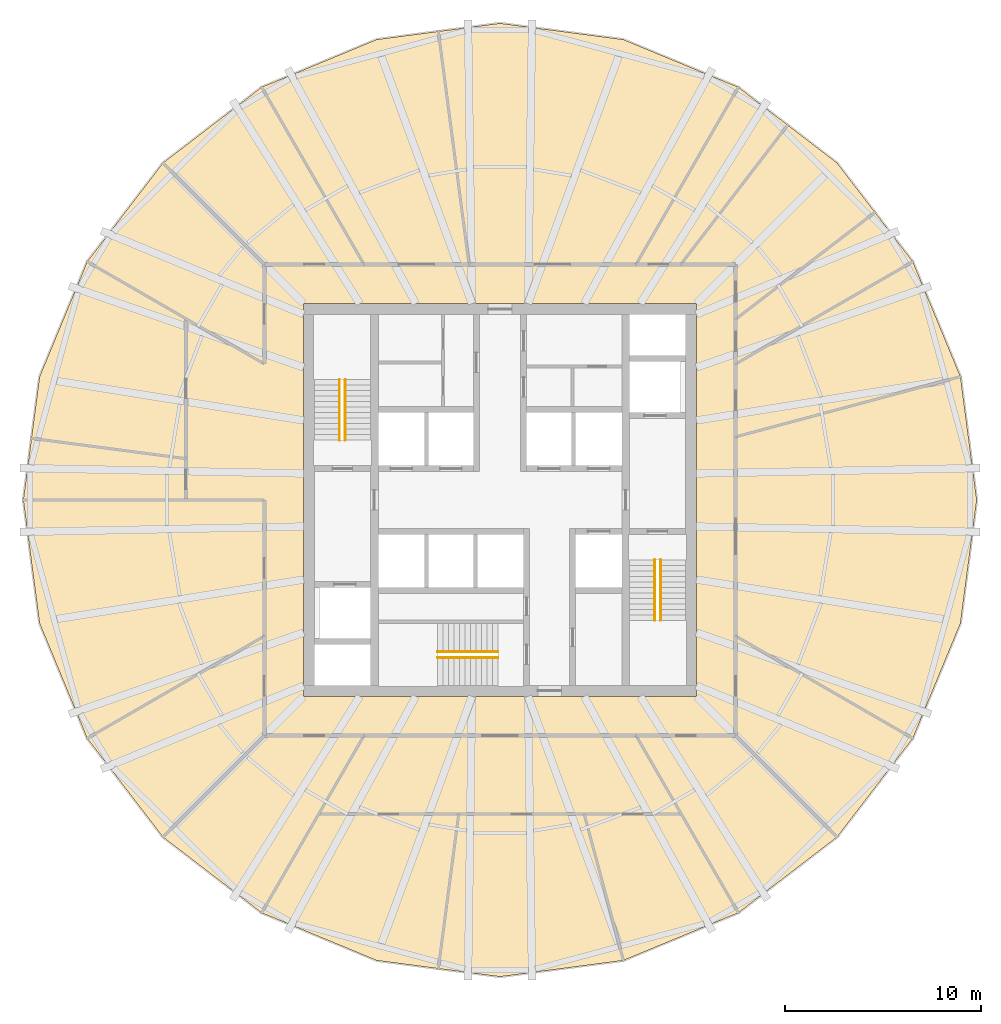
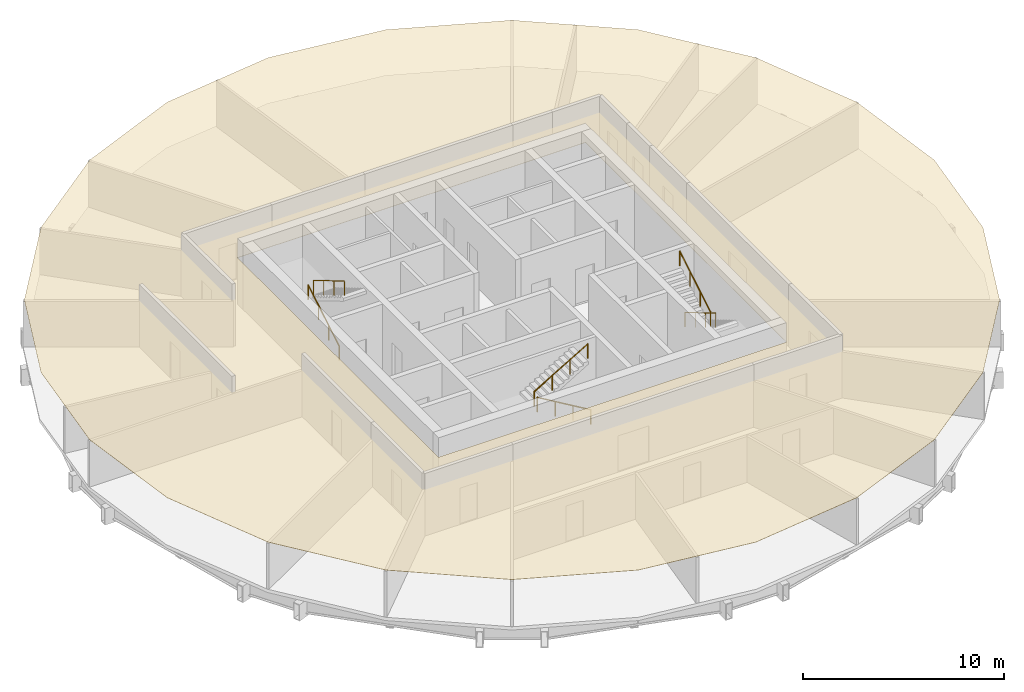
# One storey, part 6 of 6: 6 railings, 1 covering.
"""IFC4 building model written with IfcOpenShell, lengths in metres."""

from ifc_helpers import new_model, si_unit, direction, frame, origin, origin_2d, place, context, subcontext, project, spatial, polyline, circle, outline, extrude, material, layer, layer_set, type_object, element, save


model = new_model("IFC4")

# Units and contexts
model_context = context("Model", 3, precision=1e-05, world=origin(), true_north=direction((0.0, 1.0)))
body_context = subcontext(model_context, "Body", "Model", "MODEL_VIEW")
ifc_project = project(units=[si_unit("LENGTHUNIT", "METRE"), si_unit("AREAUNIT", "SQUARE_METRE"), si_unit("VOLUMEUNIT", "CUBIC_METRE"), si_unit("PLANEANGLEUNIT", "RADIAN"), si_unit("MASSUNIT", "GRAM", prefix="KILO")], contexts=[model_context])

# Site, building, storey
site_placement = place(None, origin())
site = spatial("IfcSite", under=ifc_project, at=site_placement, CompositionType="ELEMENT")
building_placement = place(site_placement, origin())
building = spatial("IfcBuilding", under=site, at=building_placement, Name="Golbaran Civic Tower", CompositionType="ELEMENT")
storey_placement = place(building_placement, frame((0.0, 0.0, 146.0)))
storey = spatial("IfcBuildingStorey", under=building, at=storey_placement, Name="L35", CompositionType="ELEMENT", Elevation=146.0)

# Railings
ifc_material_1 = material(Name="Stainless steel", Category="steel")
railing_type = type_object("IfcRailingType", Name="STAIR HANDRAIL 900", PredefinedType="HANDRAIL", material=ifc_material_1)
railing_1_placement = place(storey_placement, frame((-8.175048828125, 3.050048828125, 0.166748046875)))
element("IfcRailing", 1, at=railing_1_placement, inside=storey, type_object=railing_type, Name="Stair S1 handrail flight 1 L35", PredefinedType="HANDRAIL", context=body_context, shape_type="SweptSolid", body=[
    extrude(circle(Radius=0.02392578125, at=origin_2d()), frame((0.0, 0.0, 0.8759765625), z_axis=(0.0, 0.859290745958, 0.51148745235), x_axis=(-1.0, 0.0, 0.0)), (0.0, 0.0, 1.0), 3.584228515625),
    extrude(circle(Radius=0.02099609375, at=origin_2d()), origin(), (0.0, 0.0, 1.0), 0.851806640625),
    extrude(circle(Radius=0.02099609375, at=origin_2d()), frame((0.0, 1.026611328125, 0.611083984375)), (0.0, 0.0, 1.0), 0.851806640625),
    extrude(circle(Radius=0.02099609375, at=origin_2d()), frame((0.0, 2.05322265625, 1.22216796875)), (0.0, 0.0, 1.0), 0.851806640625),
    extrude(circle(Radius=0.02099609375, at=origin_2d()), frame((0.0, 3.079833984375, 1.833251953125)), (0.0, 0.0, 1.0), 0.851806640625),
])
for number, where, name in (
    (2, (-7.875, 6.1298828125, 2.166748046875), "Stair S1 handrail flight 2 L35"),
    (3, (8.175048828125, -3.050048828125, 0.166748046875), "Stair S2 handrail flight 1 L35"),
):
    element("IfcRailing", number, at=place(storey_placement, frame(where)), inside=storey, type_object=railing_type, Name=name, PredefinedType="HANDRAIL", context=body_context, shape_type="SweptSolid", body=[
        extrude(circle(Radius=0.02392578125, at=origin_2d()), frame((0.0, 0.0, 0.8759765625), z_axis=(0.0, -0.859290745958, 0.51148745235), x_axis=(1.0, 0.0, 0.0)), (0.0, 0.0, 1.0), 3.584228515625),
        extrude(circle(Radius=0.02099609375, at=origin_2d()), origin(), (0.0, 0.0, 1.0), 0.851806640625),
        extrude(circle(Radius=0.02099609375, at=origin_2d()), frame((0.0, -1.026611328125, 0.611083984375)), (0.0, 0.0, 1.0), 0.851806640625),
        extrude(circle(Radius=0.02099609375, at=origin_2d()), frame((0.0, -2.05322265625, 1.22216796875)), (0.0, 0.0, 1.0), 0.851806640625),
        extrude(circle(Radius=0.02099609375, at=origin_2d()), frame((0.0, -3.079833984375, 1.833251953125)), (0.0, 0.0, 1.0), 0.851806640625),
    ])
railing_2_placement = place(storey_placement, frame((7.875, -6.1298828125, 2.166748046875)))
element("IfcRailing", 4, at=railing_2_placement, inside=storey, type_object=railing_type, Name="Stair S2 handrail flight 2 L35", PredefinedType="HANDRAIL", context=body_context, shape_type="SweptSolid", body=[
    extrude(circle(Radius=0.02392578125, at=origin_2d()), frame((0.0, 0.0, 0.8759765625), z_axis=(0.0, 0.859290745958, 0.51148745235), x_axis=(-1.0, 0.0, 0.0)), (0.0, 0.0, 1.0), 3.584228515625),
    extrude(circle(Radius=0.02099609375, at=origin_2d()), origin(), (0.0, 0.0, 1.0), 0.851806640625),
    extrude(circle(Radius=0.02099609375, at=origin_2d()), frame((0.0, 1.026611328125, 0.611083984375)), (0.0, 0.0, 1.0), 0.851806640625),
    extrude(circle(Radius=0.02099609375, at=origin_2d()), frame((0.0, 2.05322265625, 1.22216796875)), (0.0, 0.0, 1.0), 0.851806640625),
    extrude(circle(Radius=0.02099609375, at=origin_2d()), frame((0.0, 3.079833984375, 1.833251953125)), (0.0, 0.0, 1.0), 0.851806640625),
])
railing_3_placement = place(storey_placement, frame((-0.10009765625, -8.02490234375, 0.166748046875)))
element("IfcRailing", 5, at=railing_3_placement, inside=storey, type_object=railing_type, Name="Stair S3 handrail flight 1 L35", PredefinedType="HANDRAIL", context=body_context, shape_type="SweptSolid", body=[
    extrude(circle(Radius=0.02392578125, at=origin_2d()), frame((0.0, 0.0, 0.8759765625), z_axis=(-0.859290745958, 0.0, 0.51148745235), x_axis=(0.0, -1.0, 0.0)), (0.0, 0.0, 1.0), 3.584228515625),
    extrude(circle(Radius=0.02099609375, at=origin_2d()), origin(), (0.0, 0.0, 1.0), 0.851806640625),
    extrude(circle(Radius=0.02099609375, at=origin_2d()), frame((-1.026611328125, 0.0, 0.611083984375)), (0.0, 0.0, 1.0), 0.851806640625),
    extrude(circle(Radius=0.02099609375, at=origin_2d()), frame((-2.05322265625, 0.0, 1.22216796875)), (0.0, 0.0, 1.0), 0.851806640625),
    extrude(circle(Radius=0.02099609375, at=origin_2d()), frame((-3.079833984375, 0.0, 1.833251953125)), (0.0, 0.0, 1.0), 0.851806640625),
])
railing_4_placement = place(storey_placement, frame((-3.179931640625, -7.72509765625, 2.166748046875)))
element("IfcRailing", 6, at=railing_4_placement, inside=storey, type_object=railing_type, Name="Stair S3 handrail flight 2 L35", PredefinedType="HANDRAIL", context=body_context, shape_type="SweptSolid", body=[
    extrude(circle(Radius=0.02392578125, at=origin_2d()), frame((0.0, 0.0, 0.8759765625), z_axis=(0.859290745958, 0.0, 0.51148745235), x_axis=(0.0, 1.0, 0.0)), (0.0, 0.0, 1.0), 3.584228515625),
    extrude(circle(Radius=0.02099609375, at=origin_2d()), origin(), (0.0, 0.0, 1.0), 0.851806640625),
    extrude(circle(Radius=0.02099609375, at=origin_2d()), frame((1.026611328125, 0.0, 0.611083984375)), (0.0, 0.0, 1.0), 0.851806640625),
    extrude(circle(Radius=0.02099609375, at=origin_2d()), frame((2.05322265625, 0.0, 1.22216796875)), (0.0, 0.0, 1.0), 0.851806640625),
    extrude(circle(Radius=0.02099609375, at=origin_2d()), frame((3.079833984375, 0.0, 1.833251953125)), (0.0, 0.0, 1.0), 0.851806640625),
])

# Covering
ifc_material_2 = material(Name="Mineral fibre tile on steel grid", Category="steel")
ifc_layer = layer(ifc_material_2, 0.02001953125, Name="Mineral fibre tile on steel grid")
ifc_layer_set = layer_set([ifc_layer], Name="Mineral fibre tile on steel grid")
covering_type = type_object("IfcCoveringType", Name="SUSPENDED CEILING 600 TILE 20", PredefinedType="CEILING", material=ifc_layer_set)
covering_placement = place(storey_placement, frame((0.0, 0.0, 2.800048828125)))
element("IfcCovering", 7, at=covering_placement, inside=storey, type_object=covering_type, Name="Suspended ceiling L35", PredefinedType="CEILING", context=body_context, shape_type="SweptSolid", body=[
    extrude(outline(polyline([(-23.44775390625, 6.28271484375), (-21.022705078125, 12.137451171875), (-17.1650390625, 17.1650390625), (-12.137451171875, 21.022705078125), (-6.28271484375, 23.44775390625), (-3.2900390625, 23.841796875), (0.0, 24.27490234375), (6.28271484375, 23.44775390625), (12.137451171875, 21.022705078125), (17.1650390625, 17.1650390625), (21.022705078125, 12.137451171875), (23.44775390625, 6.28271484375), (24.27490234375, 0.0), (23.44775390625, -6.28271484375), (21.022705078125, -12.137451171875), (17.1650390625, -17.1650390625), (12.137451171875, -21.022705078125), (6.28271484375, -23.44775390625), (0.0, -24.27490234375), (-6.28271484375, -23.44775390625), (-12.137451171875, -21.022705078125), (-17.1650390625, -17.1650390625), (-21.022705078125, -12.137451171875), (-23.44775390625, -6.28271484375), (-24.27490234375, 0.0), (-23.44775390625, 6.28271484375)]), holes=[polyline([(10.0, 10.0), (-10.0, 10.0), (-10.0, -10.0), (10.0, -10.0), (10.0, 10.0)])]), origin(), (0.0, 0.0, 1.0), 0.02001953125),
])

save(model, "model.ifc")
